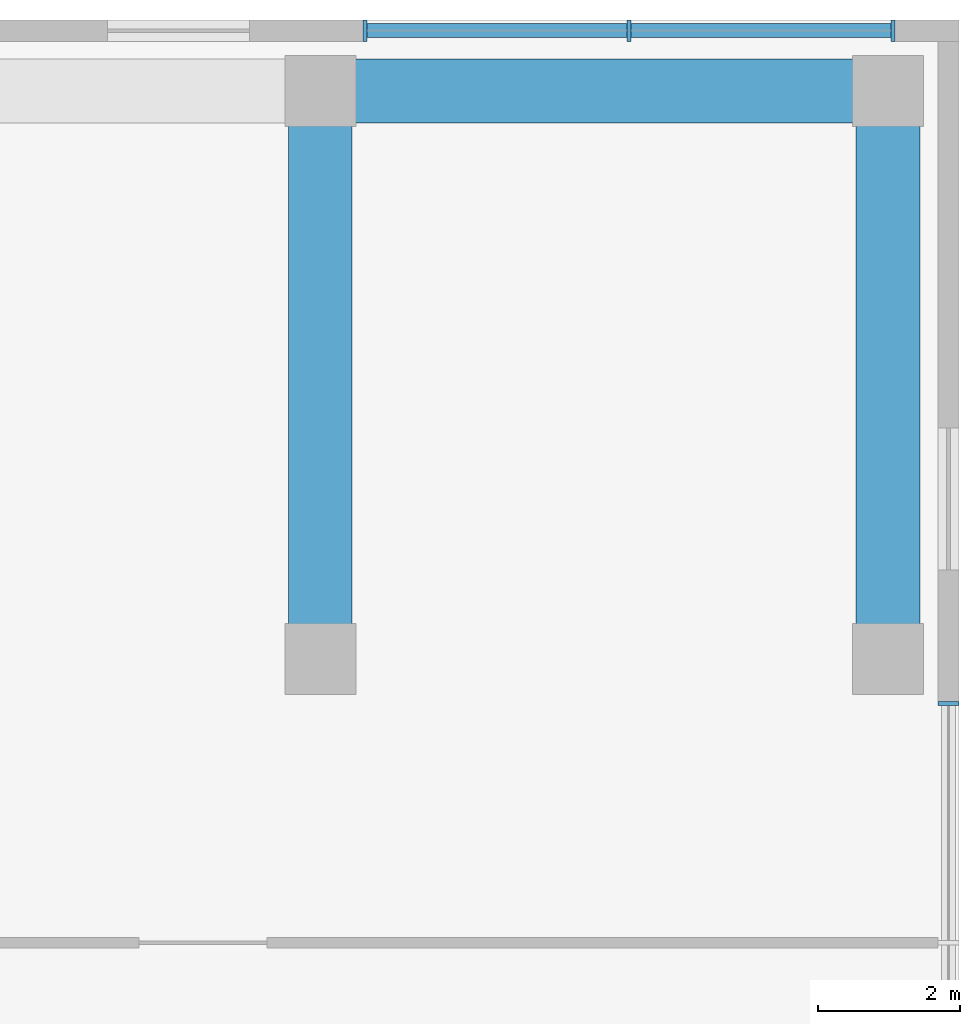
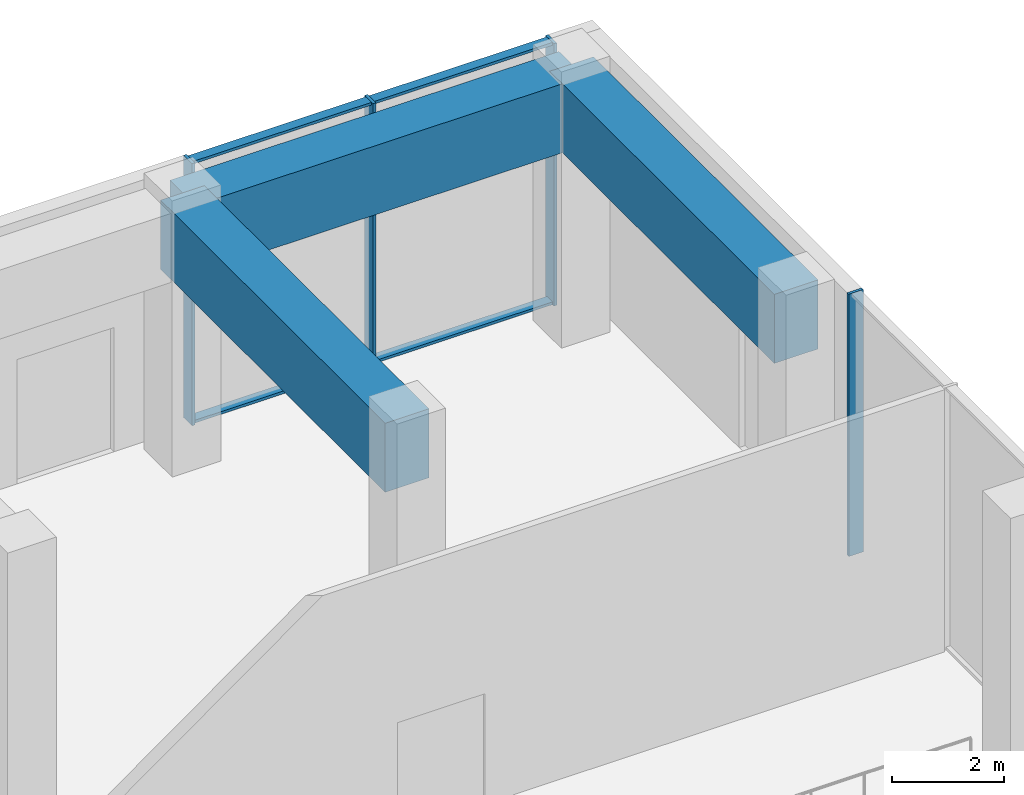
# One storey, part 20 of 39: 8 members, 3 beams, 2 elements without a shape of their own.
"""IFC4 building model written with IfcOpenShell, lengths in metres."""

from ifc_helpers import new_model, si_unit, direction, frame, origin, origin_2d, place, context, subcontext, project, spatial, rectangle, extrude, material, material_profile, profile_set, type_object, element, aggregate, save


model = new_model("IFC4")

# Units and contexts
model_context = context("Model", 3, precision=1e-05, world=origin(), true_north=direction((0.0, 1.0)))
body_context = subcontext(model_context, "Body", "Model", "MODEL_VIEW")
ifc_project = project(units=[si_unit("LENGTHUNIT", "METRE"), si_unit("AREAUNIT", "SQUARE_METRE"), si_unit("VOLUMEUNIT", "CUBIC_METRE"), si_unit("PLANEANGLEUNIT", "RADIAN"), si_unit("MASSUNIT", "GRAM", prefix="KILO")], contexts=[model_context])

# Site, building, storey
site_placement = place(None, origin())
site = spatial("IfcSite", under=ifc_project, at=site_placement, CompositionType="ELEMENT")
building_placement = place(site_placement, origin())
building = spatial("IfcBuilding", under=site, at=building_placement, Name="Ostroluk Exchange", CompositionType="ELEMENT")
storey_placement = place(building_placement, origin())
storey = spatial("IfcBuildingStorey", under=building, at=storey_placement, Name="L00", CompositionType="ELEMENT", Elevation=0.0)

# Beams
ifc_material_1 = material(Name="Concrete C50/60", Category="concrete")
ifc_material_profile_1 = material_profile(ifc_material_1, rectangle(XDim=0.89990234375, YDim=1.5, at=origin_2d()), Name="RC 900x1500")
ifc_profile_set_1 = profile_set([ifc_material_profile_1], Name="Concrete C50/60")
beam_type = type_object("IfcBeamType", Name="Podium edge beam RC 900x1500", PredefinedType="BEAM", material=ifc_profile_set_1)
for number, where, z_axis, x_axis, name in (
    (1, (133.0, 94.0, 4.949951171875), (0.0, -1.0, 0.0), (1.0, 0.0, 0.0), "Terrace beam L01 east N 133"),
    (2, (141.0, 94.0, 4.949951171875), (0.0, -1.0, 0.0), (1.0, 0.0, 0.0), "Terrace beam L01 east N 141"),
    (3, (133.0, 94.0, 4.949951171875), (1.0, 0.0, 0.0), (0.0, 1.0, 0.0), "Terrace bay beam L01 Y94-133"),
):
    element("IfcBeam", number, at=place(storey_placement, frame(where, z_axis=z_axis, x_axis=x_axis)), inside=storey, type_object=beam_type, Name=name, PredefinedType="BEAM", context=body_context, shape_type="SweptSolid", body=[
        extrude(rectangle(XDim=0.89990234375, YDim=1.5, at=origin_2d()), origin(), (0.0, 0.0, 1.0), 8.0),
    ])

# Curtain wall, member
ifc_material_2 = material(Name="Laminated clear glass", Category="glass")
curtain_wall_type = type_object("IfcCurtainWallType", Name="Podium shopfront", PredefinedType="USERDEFINED", material=ifc_material_2)
curtain_wall_1_placement = place(storey_placement, origin())
curtain_wall_1 = element("IfcCurtainWall", 4, at=curtain_wall_1_placement, inside=storey, type_object=curtain_wall_type, Name="Podium east E shopfront 7", ObjectType="STICK SHOPFRONT", PredefinedType="USERDEFINED")
ifc_material_3 = material(Name="Aluminium mullion", Category="aluminium")
ifc_material_profile_2 = material_profile(ifc_material_3, rectangle(XDim=0.300048828125, YDim=0.06005859375, at=origin_2d()), Name="Shopfront mullion 60 x 300")
ifc_profile_set_2 = profile_set([ifc_material_profile_2], Name="Aluminium mullion")
member_type_1 = type_object("IfcMemberType", Name="Shopfront mullion 60 x 300", PredefinedType="MULLION", material=ifc_profile_set_2)
member_1_placement = place(storey_placement, frame((141.85009765625, 85.3701171875, 0.0), z_axis=(0.0, 0.0, 1.0), x_axis=(-1.0, 0.0, 0.0)))
member_1 = element("IfcMember", 5, at=member_1_placement, type_object=member_type_1, Name="CW-SF1 mullion 3", PredefinedType="MULLION", context=body_context, shape_type="SweptSolid", body=[
    extrude(rectangle(XDim=0.300048828125, YDim=0.06005859375, at=origin_2d()), origin(), (0.0, 0.0, 1.0), 5.699951171875),
])
aggregate(curtain_wall_1, [member_1])

# Curtain wall, members
curtain_wall_2_placement = place(storey_placement, origin())
curtain_wall_2 = element("IfcCurtainWall", 6, at=curtain_wall_2_placement, inside=storey, type_object=curtain_wall_type, Name="Podium east N shopfront 1", ObjectType="STICK SHOPFRONT", PredefinedType="USERDEFINED")
member_2_placement = place(storey_placement, frame((141.070068359375, 94.85009765625, 0.0), z_axis=(0.0, 0.0, 1.0), x_axis=(0.0, -1.0, 0.0)))
member_2 = element("IfcMember", 7, at=member_2_placement, type_object=member_type_1, Name="CW-SF1 mullion 1", PredefinedType="MULLION", context=body_context, shape_type="SweptSolid", body=[
    extrude(rectangle(XDim=0.300048828125, YDim=0.06005859375, at=origin_2d()), origin(), (0.0, 0.0, 1.0), 5.699951171875),
])
member_3_placement = place(storey_placement, frame((137.35009765625, 94.85009765625, 0.0), z_axis=(0.0, 0.0, 1.0), x_axis=(0.0, -1.0, 0.0)))
member_3 = element("IfcMember", 8, at=member_3_placement, type_object=member_type_1, Name="CW-SF1 mullion 2", PredefinedType="MULLION", context=body_context, shape_type="SweptSolid", body=[
    extrude(rectangle(XDim=0.300048828125, YDim=0.06005859375, at=origin_2d()), origin(), (0.0, 0.0, 1.0), 5.699951171875),
])
member_4_placement = place(storey_placement, frame((133.6298828125, 94.85009765625, 0.0), z_axis=(0.0, 0.0, 1.0), x_axis=(0.0, -1.0, 0.0)))
member_4 = element("IfcMember", 9, at=member_4_placement, type_object=member_type_1, Name="CW-SF1 mullion 3", PredefinedType="MULLION", context=body_context, shape_type="SweptSolid", body=[
    extrude(rectangle(XDim=0.300048828125, YDim=0.06005859375, at=origin_2d()), origin(), (0.0, 0.0, 1.0), 5.699951171875),
])
ifc_material_4 = material(Name="Aluminium mullion", Category="aluminium")
ifc_material_profile_3 = material_profile(ifc_material_4, rectangle(XDim=0.199951171875, YDim=0.06005859375, at=origin_2d()), Name="Shopfront transom 60 x 200")
ifc_profile_set_3 = profile_set([ifc_material_profile_3], Name="Aluminium mullion")
member_type_2 = type_object("IfcMemberType", Name="Shopfront transom 60 x 200", PredefinedType="USERDEFINED", material=ifc_profile_set_3)
member_5_placement = place(storey_placement, frame((141.0400390625, 94.85009765625, 0.030029296875), z_axis=(-1.0, 0.0, 0.0), x_axis=(0.0, -1.0, 0.0)))
member_5 = element("IfcMember", 10, at=member_5_placement, type_object=member_type_2, Name="CW-SF1 transom 1.1", ObjectType="TRANSOM", PredefinedType="USERDEFINED", context=body_context, shape_type="SweptSolid", body=[
    extrude(rectangle(XDim=0.199951171875, YDim=0.06005859375, at=origin_2d()), origin(), (0.0, 0.0, 1.0), 3.66015625),
])
member_6_placement = place(storey_placement, frame((141.0400390625, 94.85009765625, 5.669921875), z_axis=(-1.0, 0.0, 0.0), x_axis=(0.0, -1.0, 0.0)))
member_6 = element("IfcMember", 11, at=member_6_placement, type_object=member_type_2, Name="CW-SF1 transom 1.2", ObjectType="TRANSOM", PredefinedType="USERDEFINED", context=body_context, shape_type="SweptSolid", body=[
    extrude(rectangle(XDim=0.199951171875, YDim=0.06005859375, at=origin_2d()), origin(), (0.0, 0.0, 1.0), 3.66015625),
])
member_7_placement = place(storey_placement, frame((137.320068359375, 94.85009765625, 0.030029296875), z_axis=(-1.0, 0.0, 0.0), x_axis=(0.0, -1.0, 0.0)))
member_7 = element("IfcMember", 12, at=member_7_placement, type_object=member_type_2, Name="CW-SF1 transom 2.1", ObjectType="TRANSOM", PredefinedType="USERDEFINED", context=body_context, shape_type="SweptSolid", body=[
    extrude(rectangle(XDim=0.199951171875, YDim=0.06005859375, at=origin_2d()), origin(), (0.0, 0.0, 1.0), 3.66015625),
])
member_8_placement = place(storey_placement, frame((137.320068359375, 94.85009765625, 5.669921875), z_axis=(-1.0, 0.0, 0.0), x_axis=(0.0, -1.0, 0.0)))
member_8 = element("IfcMember", 13, at=member_8_placement, type_object=member_type_2, Name="CW-SF1 transom 2.2", ObjectType="TRANSOM", PredefinedType="USERDEFINED", context=body_context, shape_type="SweptSolid", body=[
    extrude(rectangle(XDim=0.199951171875, YDim=0.06005859375, at=origin_2d()), origin(), (0.0, 0.0, 1.0), 3.66015625),
])
aggregate(curtain_wall_2, [member_2, member_3, member_4, member_5, member_6, member_7, member_8])

save(model, "model.ifc")
